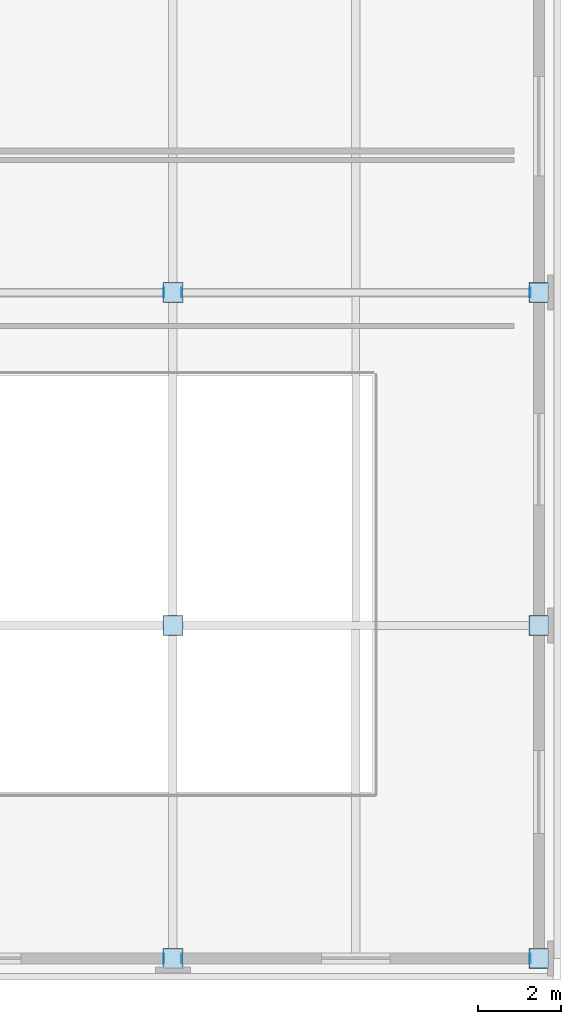
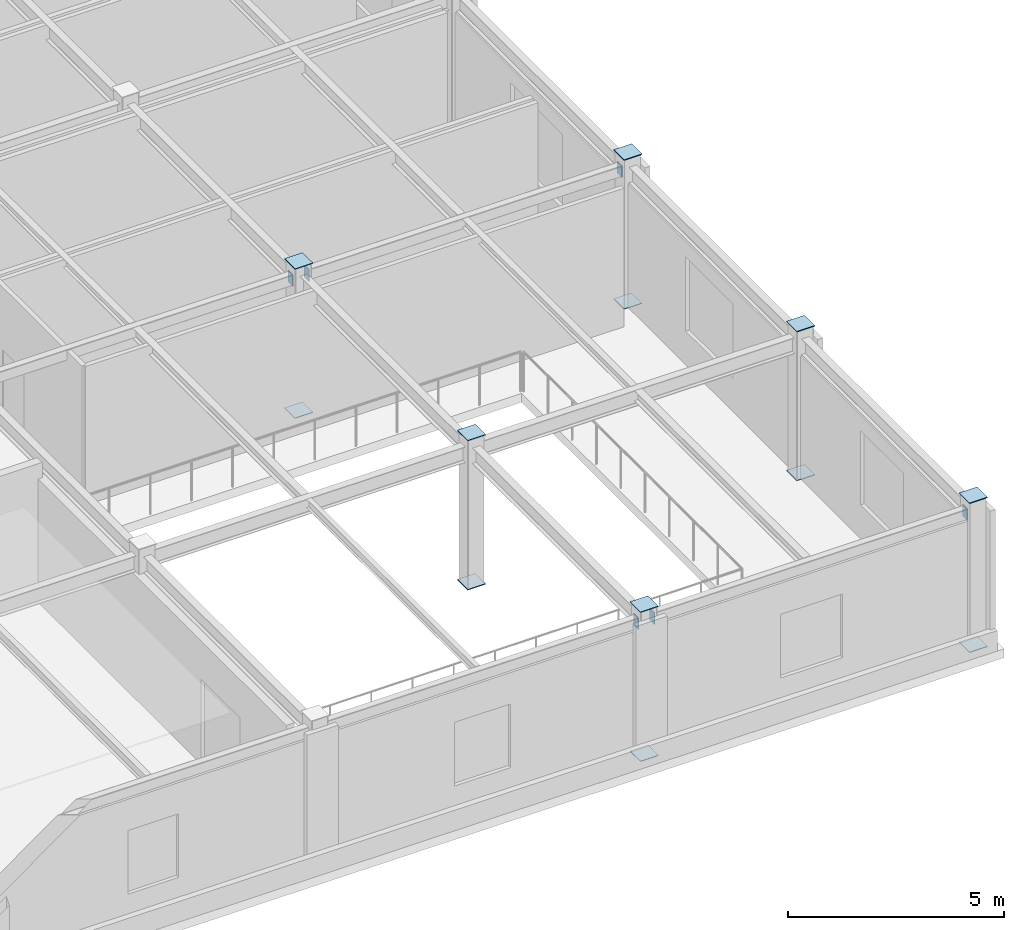
# One storey, part 7 of 18: 21 plates.
"""IFC4 building model written with IfcOpenShell, lengths in metres."""

from ifc_helpers import new_model, si_unit, direction, frame, origin, origin_2d, place, context, subcontext, project, spatial, rectangle, extrude, material, layer, layer_set, type_object, element, save


model = new_model("IFC4")

# Units and contexts
model_context = context("Model", 3, precision=1e-05, world=origin(), true_north=direction((0.0, 1.0)))
body_context = subcontext(model_context, "Body", "Model", "MODEL_VIEW")
ifc_project = project(units=[si_unit("LENGTHUNIT", "METRE"), si_unit("AREAUNIT", "SQUARE_METRE"), si_unit("VOLUMEUNIT", "CUBIC_METRE"), si_unit("PLANEANGLEUNIT", "RADIAN"), si_unit("MASSUNIT", "GRAM", prefix="KILO")], contexts=[model_context])

# Site, building, storey
site_placement = place(None, origin())
site = spatial("IfcSite", under=ifc_project, at=site_placement, CompositionType="ELEMENT")
building_placement = place(site_placement, origin())
building = spatial("IfcBuilding", under=site, at=building_placement, Name="Zhaolan Boulevard Law Courts", CompositionType="ELEMENT")
storey_placement = place(building_placement, frame((0.0, 0.0, 33.0)))
storey = spatial("IfcBuildingStorey", under=building, at=storey_placement, Name="L07", CompositionType="ELEMENT", Elevation=33.0)

# Plates
ifc_material = material(Name="Structural steel Q355B", Category="steel")
ifc_layer = layer(ifc_material, 0.02001953125)
ifc_layer_set = layer_set([ifc_layer])
plate_type = type_object("IfcPlateType", Name="END CAP PLATE 20", PredefinedType="SHEET", material=ifc_layer_set)
for number, where, z_axis, x_axis, name in (
    (1, (44.0, 30.0, 4.179931640625), (0.0, 0.0, 1.0), (1.0, 0.0, 0.0), "Hollow Column Top End-Cap Plate ECP-6E"),
    (2, (44.0, 38.0, 4.179931640625), (0.0, 0.0, 1.0), (1.0, 0.0, 0.0), "Hollow Column Top End-Cap Plate ECP-6F"),
    (3, (44.0, 46.0, 4.179931640625), (0.0, 0.0, 1.0), (1.0, 0.0, 0.0), "Hollow Column Top End-Cap Plate ECP-6G"),
):
    element("IfcPlate", number, at=place(storey_placement, frame(where, z_axis=z_axis, x_axis=x_axis)), inside=storey, type_object=plate_type, Name=name, PredefinedType="SHEET", context=body_context, shape_type="SweptSolid", body=[
        extrude(rectangle(XDim=0.449951171875, YDim=0.449951171875, at=origin_2d()), origin(), (0.0, 0.0, 1.0), 0.02001953125),
    ])
for number, where, z_axis, x_axis, name in (
    (4, (35.199951171875, 30.0, -0.01806640625), (0.0, 0.0, 1.0), (1.0, 0.0, 0.0), "Hollow Section End-Cap Plate ECP-0373"),
    (5, (35.199951171875, 30.0, 4.197998046875), (0.0, 0.0, 1.0), (1.0, 0.0, 0.0), "Hollow Section End-Cap Plate ECP-0374"),
    (6, (35.199951171875, 38.0, -0.01806640625), (0.0, 0.0, 1.0), (1.0, 0.0, 0.0), "Hollow Section End-Cap Plate ECP-0393"),
    (7, (35.199951171875, 38.0, 4.197998046875), (0.0, 0.0, 1.0), (1.0, 0.0, 0.0), "Hollow Section End-Cap Plate ECP-0394"),
    (8, (35.199951171875, 46.0, -0.01806640625), (0.0, 0.0, 1.0), (1.0, 0.0, 0.0), "Hollow Section End-Cap Plate ECP-0415"),
    (9, (35.199951171875, 46.0, 4.197998046875), (0.0, 0.0, 1.0), (1.0, 0.0, 0.0), "Hollow Section End-Cap Plate ECP-0416"),
    (10, (44.0, 30.0, -0.01806640625), (0.0, 0.0, 1.0), (1.0, 0.0, 0.0), "Hollow Section End-Cap Plate ECP-0503"),
    (11, (44.0, 30.0, 4.197998046875), (0.0, 0.0, 1.0), (1.0, 0.0, 0.0), "Hollow Section End-Cap Plate ECP-0504"),
    (12, (44.0, 38.0, -0.01806640625), (0.0, 0.0, 1.0), (1.0, 0.0, 0.0), "Hollow Section End-Cap Plate ECP-0521"),
    (13, (44.0, 38.0, 4.197998046875), (0.0, 0.0, 1.0), (1.0, 0.0, 0.0), "Hollow Section End-Cap Plate ECP-0522"),
    (14, (44.0, 46.0, -0.01806640625), (0.0, 0.0, 1.0), (1.0, 0.0, 0.0), "Hollow Section End-Cap Plate ECP-0539"),
    (15, (44.0, 46.0, 4.197998046875), (0.0, 0.0, 1.0), (1.0, 0.0, 0.0), "Hollow Section End-Cap Plate ECP-0540"),
):
    element("IfcPlate", number, at=place(storey_placement, frame(where, z_axis=z_axis, x_axis=x_axis)), inside=storey, type_object=plate_type, Name=name, PredefinedType="SHEET", context=body_context, shape_type="SweptSolid", body=[
        extrude(rectangle(XDim=0.47998046875, YDim=0.47998046875, at=origin_2d()), origin(), (0.0, 0.0, 1.0), 0.02001953125),
    ])
for number, where, z_axis, x_axis, name in (
    (16, (34.987060546875, 30.0, 3.633056640625), (0.0, 0.0, 1.0), (1.0, 0.0, 0.0), "Hollow Section End-Cap Plate ECP-1016"),
    (17, (35.4130859375, 30.0, 3.633056640625), (0.0, 0.0, 1.0), (1.0, 0.0, 0.0), "Hollow Section End-Cap Plate ECP-1017"),
    (18, (43.787109375, 30.0, 3.633056640625), (0.0, 0.0, 1.0), (1.0, 0.0, 0.0), "Hollow Section End-Cap Plate ECP-1018"),
    (19, (34.987060546875, 46.0, 3.633056640625), (0.0, 0.0, 1.0), (1.0, 0.0, 0.0), "Hollow Section End-Cap Plate ECP-1026"),
    (20, (35.4130859375, 46.0, 3.633056640625), (0.0, 0.0, 1.0), (1.0, 0.0, 0.0), "Hollow Section End-Cap Plate ECP-1027"),
    (21, (43.787109375, 46.0, 3.633056640625), (0.0, 0.0, 1.0), (1.0, 0.0, 0.0), "Hollow Section End-Cap Plate ECP-1028"),
):
    element("IfcPlate", number, at=place(storey_placement, frame(where, z_axis=z_axis, x_axis=x_axis)), inside=storey, type_object=plate_type, Name=name, PredefinedType="SHEET", context=body_context, shape_type="SweptSolid", body=[
        extrude(rectangle(XDim=0.02001953125, YDim=0.22998046875, at=origin_2d()), origin(), (0.0, 0.0, 1.0), 0.330078125),
    ])

save(model, "model.ifc")
